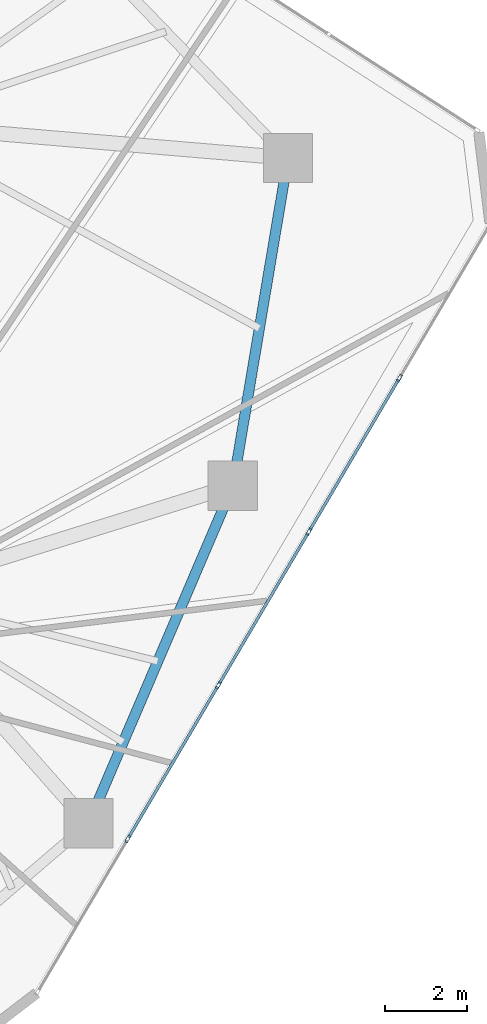
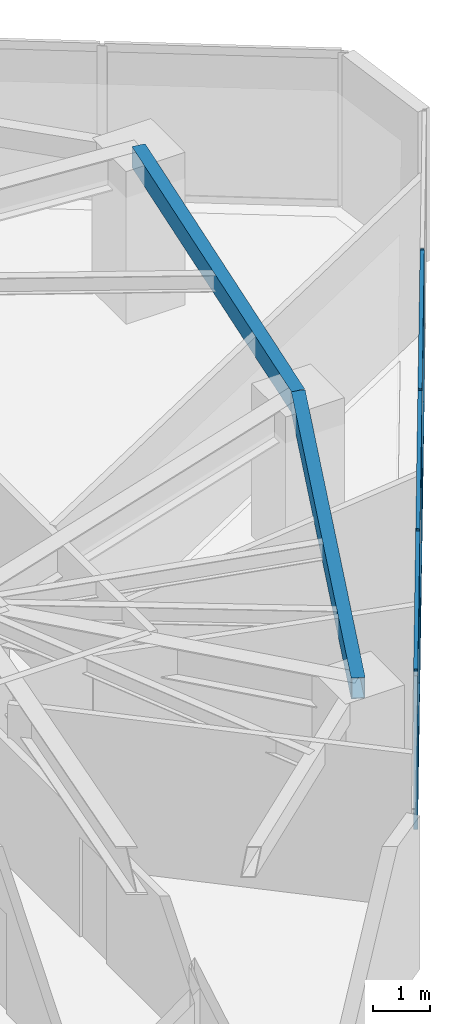
# One storey, part 10 of 20: 10 members, 2 beams, 1 element without a shape of its own.
"""IFC4 building model written with IfcOpenShell, lengths in metres."""

from ifc_helpers import new_model, si_unit, direction, frame, origin, origin_2d, place, context, subcontext, project, spatial, hollow_rectangle, extrude, source, transform, mapped, material, layer, layer_set, material_profile, profile_set, type_object, type_shapes, element, aggregate, save


model = new_model("IFC4")

# Units and contexts
model_context = context("Model", 3, precision=1e-05, world=origin(), true_north=direction((0.0, 1.0)))
body_context = subcontext(model_context, "Body", "Model", "MODEL_VIEW")
ifc_project = project(units=[si_unit("LENGTHUNIT", "METRE"), si_unit("AREAUNIT", "SQUARE_METRE"), si_unit("VOLUMEUNIT", "CUBIC_METRE"), si_unit("PLANEANGLEUNIT", "RADIAN"), si_unit("MASSUNIT", "GRAM", prefix="KILO")], contexts=[model_context])

# Site, building, storey
site_placement = place(None, origin())
site = spatial("IfcSite", under=ifc_project, at=site_placement, CompositionType="ELEMENT")
building_placement = place(site_placement, origin())
building = spatial("IfcBuilding", under=site, at=building_placement, Name="Talar Marvaseh", CompositionType="ELEMENT")
storey_placement = place(building_placement, frame((0.0, 0.0, 136.199951171875)))
storey = spatial("IfcBuildingStorey", under=building, at=storey_placement, Name="L35", CompositionType="ELEMENT", Elevation=136.199951171875)

# Beams
ifc_material_1 = material(Name="Steel S355", Category="steel")
ifc_material_profile_1 = material_profile(ifc_material_1, hollow_rectangle(XDim=0.25, YDim=0.449951171875, WallThickness=0.01611328125, at=origin_2d()), Name="RHS450x250x16")
ifc_profile_set_1 = profile_set([ifc_material_profile_1], Name="Steel S355")
beam_type = type_object("IfcBeamType", Name="Zone 2 Perimeter Spandrel Beam RHS450x250x16", PredefinedType="SPANDREL", material=ifc_profile_set_1)
beam_1_placement = place(storey_placement, frame((43.0439453125, 36.075927734375, 3.0849609375), z_axis=(-0.165641685249, -0.986186002795, 0.0), x_axis=(0.986186002795, -0.165641685249, 0.0)))
element("IfcBeam", 1, at=beam_1_placement, inside=storey, type_object=beam_type, Name="L35 Zone 2 Perimeter Spandrel Beam RHS450x250x16", PredefinedType="SPANDREL", context=body_context, shape_type="SweptSolid", body=[
    extrude(hollow_rectangle(XDim=0.25, YDim=0.449951171875, WallThickness=0.01611328125, at=origin_2d()), origin(), (0.0, 0.0, 1.0), 8.059326171875),
])
beam_2_placement = place(storey_placement, frame((41.708984375, 28.1279296875, 3.0849609375), z_axis=(-0.393369955619, -0.919380268451, 0.0), x_axis=(0.919380268451, -0.393369955619, 0.0)))
element("IfcBeam", 2, at=beam_2_placement, inside=storey, type_object=beam_type, Name="L35 Zone 2 Perimeter Spandrel Beam RHS450x250x16", PredefinedType="SPANDREL", context=body_context, shape_type="SweptSolid", body=[
    extrude(hollow_rectangle(XDim=0.25, YDim=0.449951171875, WallThickness=0.01611328125, at=origin_2d()), origin(), (0.0, 0.0, 1.0), 8.905029296875),
])

# Curtain wall, members
ifc_material_2 = material(Name="Architectural Aluminium", Category="aluminium")
ifc_layer = layer(ifc_material_2, 0.199951171875)
ifc_layer_set = layer_set([ifc_layer], Name="Architectural Aluminium")
curtain_wall_type = type_object("IfcCurtainWallType", Name="Unitised Acoustic Library Curtain Wall Z2", PredefinedType="NOTDEFINED", material=ifc_layer_set)
curtain_wall_placement = place(storey_placement, origin())
curtain_wall = element("IfcCurtainWall", 3, at=curtain_wall_placement, inside=storey, type_object=curtain_wall_type, Name="L35 Unitised Acoustic Library Curtain Wall Z2", PredefinedType="NOTDEFINED")
ifc_material_profile_2 = material_profile(ifc_material_2, hollow_rectangle(XDim=0.074951171875, YDim=0.179931640625, WallThickness=0.0048828125, at=origin_2d()), Name="RHS180x75x5")
ifc_profile_set_2 = profile_set([ifc_material_profile_2], Name="Architectural Aluminium")
member_type_1 = type_object("IfcMemberType", Name="Unitised Curtain Wall Standard Mullion RHS180x75x5", PredefinedType="MULLION", material=ifc_profile_set_2)
shared_shape_1 = source(origin(), body_context, "Body", "SweptSolid", [
    extrude(hollow_rectangle(XDim=0.074951171875, YDim=0.179931640625, WallThickness=0.0048828125, at=origin_2d()), origin(), (0.0, 0.0, 1.0), 3.31005859375),
])
type_shapes(member_type_1, [shared_shape_1])
member_1_placement = place(storey_placement, frame((45.744384765625, 30.73876953125, 0.0), z_axis=(0.0, 0.0, 1.0), x_axis=(0.861549987065, -0.507672748715, 0.0)))
member_1 = element("IfcMember", 4, at=member_1_placement, type_object=member_type_1, Name="CW-Z2 mullion 2", PredefinedType="MULLION", context=body_context, shape_type="MappedRepresentation", body=[
    mapped(shared_shape_1, transform((0.0, 0.0, 0.0), x_axis=(1.0, 0.0, 0.0), y_axis=(0.0, 1.0, 0.0), z_axis=(0.0, 0.0, 1.0), scale=1.0)),
])
member_2_placement = place(storey_placement, frame((43.549560546875, 27.013671875, 0.0), z_axis=(0.0, 0.0, 1.0), x_axis=(0.861549987065, -0.507672748715, 0.0)))
member_2 = element("IfcMember", 5, at=member_2_placement, type_object=member_type_1, Name="CW-Z2 mullion 3", PredefinedType="MULLION", context=body_context, shape_type="MappedRepresentation", body=[
    mapped(shared_shape_1, transform((0.0, 0.0, 0.0), x_axis=(1.0, 0.0, 0.0), y_axis=(0.0, 1.0, 0.0), z_axis=(0.0, 0.0, 1.0), scale=1.0)),
])
member_3_placement = place(storey_placement, frame((41.3544921875, 23.288818359375, 0.0), z_axis=(0.0, 0.0, 1.0), x_axis=(0.861549987065, -0.507672748715, 0.0)))
member_3 = element("IfcMember", 6, at=member_3_placement, type_object=member_type_1, Name="CW-Z2 mullion 4", PredefinedType="MULLION", context=body_context, shape_type="MappedRepresentation", body=[
    mapped(shared_shape_1, transform((0.0, 0.0, 0.0), x_axis=(1.0, 0.0, 0.0), y_axis=(0.0, 1.0, 0.0), z_axis=(0.0, 0.0, 1.0), scale=1.0)),
])
member_4_placement = place(storey_placement, frame((39.15966796875, 19.563720703125, 0.0), z_axis=(0.0, 0.0, 1.0), x_axis=(0.861549987065, -0.507672748715, 0.0)))
member_4 = element("IfcMember", 7, at=member_4_placement, type_object=member_type_1, Name="CW-Z2 mullion 5", PredefinedType="MULLION", context=body_context, shape_type="MappedRepresentation", body=[
    mapped(shared_shape_1, transform((0.0, 0.0, 0.0), x_axis=(1.0, 0.0, 0.0), y_axis=(0.0, 1.0, 0.0), z_axis=(0.0, 0.0, 1.0), scale=1.0)),
])
ifc_material_profile_3 = material_profile(ifc_material_2, hollow_rectangle(XDim=0.074951171875, YDim=0.179931640625, WallThickness=0.0048828125, at=origin_2d()), Name="RHS180x75x5")
ifc_profile_set_3 = profile_set([ifc_material_profile_3], Name="Architectural Aluminium")
member_type_2 = type_object("IfcMemberType", Name="Unitised Curtain Wall Transom RHS180x75x5", PredefinedType="USERDEFINED", material=ifc_profile_set_3)
shared_shape_2 = source(origin(), body_context, "Body", "SweptSolid", [
    extrude(hollow_rectangle(XDim=0.074951171875, YDim=0.179931640625, WallThickness=0.0048828125, at=origin_2d()), origin(), (0.0, 0.0, 1.0), 4.24853515625),
])
member_5_placement = place(storey_placement, frame((41.33544921875, 23.256591796875, 0.03759765625), z_axis=(-0.50764279884, -0.861567634481, 0.0), x_axis=(0.861567634481, -0.50764279884, 0.0)))
member_5 = element("IfcMember", 8, at=member_5_placement, type_object=member_type_2, Name="CW-Z2 transom 4.1", ObjectType="TRANSOM", PredefinedType="USERDEFINED", context=body_context, shape_type="MappedRepresentation", body=[
    mapped(shared_shape_2, transform((0.0, 0.0, 0.0), x_axis=(1.0, 0.0, 0.0), y_axis=(0.0, 1.0, 0.0), z_axis=(0.0, 0.0, 1.0), scale=1.0)),
])
member_6_placement = place(storey_placement, frame((41.33544921875, 23.256591796875, 3.2724609375), z_axis=(-0.50764279884, -0.861567634481, 0.0), x_axis=(0.861567634481, -0.50764279884, 0.0)))
member_6 = element("IfcMember", 9, at=member_6_placement, type_object=member_type_2, Name="CW-Z2 transom 4.2", ObjectType="TRANSOM", PredefinedType="USERDEFINED", context=body_context, shape_type="MappedRepresentation", body=[
    mapped(shared_shape_2, transform((0.0, 0.0, 0.0), x_axis=(1.0, 0.0, 0.0), y_axis=(0.0, 1.0, 0.0), z_axis=(0.0, 0.0, 1.0), scale=1.0)),
])
shared_shape_3 = source(origin(), body_context, "Body", "SweptSolid", [
    extrude(hollow_rectangle(XDim=0.074951171875, YDim=0.179931640625, WallThickness=0.0048828125, at=origin_2d()), origin(), (0.0, 0.0, 1.0), 4.248291015625),
])
member_7_placement = place(storey_placement, frame((45.725341796875, 30.706298828125, 0.03759765625), z_axis=(-0.507667933106, -0.861552824669, 0.0), x_axis=(0.861552824669, -0.507667933106, 0.0)))
member_7 = element("IfcMember", 10, at=member_7_placement, type_object=member_type_2, Name="CW-Z2 transom 2.1", ObjectType="TRANSOM", PredefinedType="USERDEFINED", context=body_context, shape_type="MappedRepresentation", body=[
    mapped(shared_shape_3, transform((0.0, 0.0, 0.0), x_axis=(1.0, 0.0, 0.0), y_axis=(0.0, 1.0, 0.0), z_axis=(0.0, 0.0, 1.0), scale=1.0)),
])
member_8_placement = place(storey_placement, frame((45.725341796875, 30.706298828125, 3.2724609375), z_axis=(-0.507667933106, -0.861552824669, 0.0), x_axis=(0.861552824669, -0.507667933106, 0.0)))
member_8 = element("IfcMember", 11, at=member_8_placement, type_object=member_type_2, Name="CW-Z2 transom 2.2", ObjectType="TRANSOM", PredefinedType="USERDEFINED", context=body_context, shape_type="MappedRepresentation", body=[
    mapped(shared_shape_3, transform((0.0, 0.0, 0.0), x_axis=(1.0, 0.0, 0.0), y_axis=(0.0, 1.0, 0.0), z_axis=(0.0, 0.0, 1.0), scale=1.0)),
])
shared_shape_4 = source(origin(), body_context, "Body", "SweptSolid", [
    extrude(hollow_rectangle(XDim=0.074951171875, YDim=0.179931640625, WallThickness=0.0048828125, at=origin_2d()), origin(), (0.0, 0.0, 1.0), 4.248779296875),
])
type_shapes(member_type_2, [shared_shape_2, shared_shape_3, shared_shape_4])
member_9_placement = place(storey_placement, frame((43.530517578125, 26.9814453125, 0.03759765625), z_axis=(-0.50768545292, -0.861542500921, 0.0), x_axis=(0.861542500921, -0.50768545292, 0.0)))
member_9 = element("IfcMember", 12, at=member_9_placement, type_object=member_type_2, Name="CW-Z2 transom 3.1", ObjectType="TRANSOM", PredefinedType="USERDEFINED", context=body_context, shape_type="MappedRepresentation", body=[
    mapped(shared_shape_4, transform((0.0, 0.0, 0.0), x_axis=(1.0, 0.0, 0.0), y_axis=(0.0, 1.0, 0.0), z_axis=(0.0, 0.0, 1.0), scale=1.0)),
])
member_10_placement = place(storey_placement, frame((43.530517578125, 26.9814453125, 3.2724609375), z_axis=(-0.50768545292, -0.861542500921, 0.0), x_axis=(0.861542500921, -0.50768545292, 0.0)))
member_10 = element("IfcMember", 13, at=member_10_placement, type_object=member_type_2, Name="CW-Z2 transom 3.2", ObjectType="TRANSOM", PredefinedType="USERDEFINED", context=body_context, shape_type="MappedRepresentation", body=[
    mapped(shared_shape_4, transform((0.0, 0.0, 0.0), x_axis=(1.0, 0.0, 0.0), y_axis=(0.0, 1.0, 0.0), z_axis=(0.0, 0.0, 1.0), scale=1.0)),
])
aggregate(curtain_wall, [member_1, member_2, member_3, member_4, member_7, member_8, member_9, member_10, member_5, member_6])

save(model, "model.ifc")
